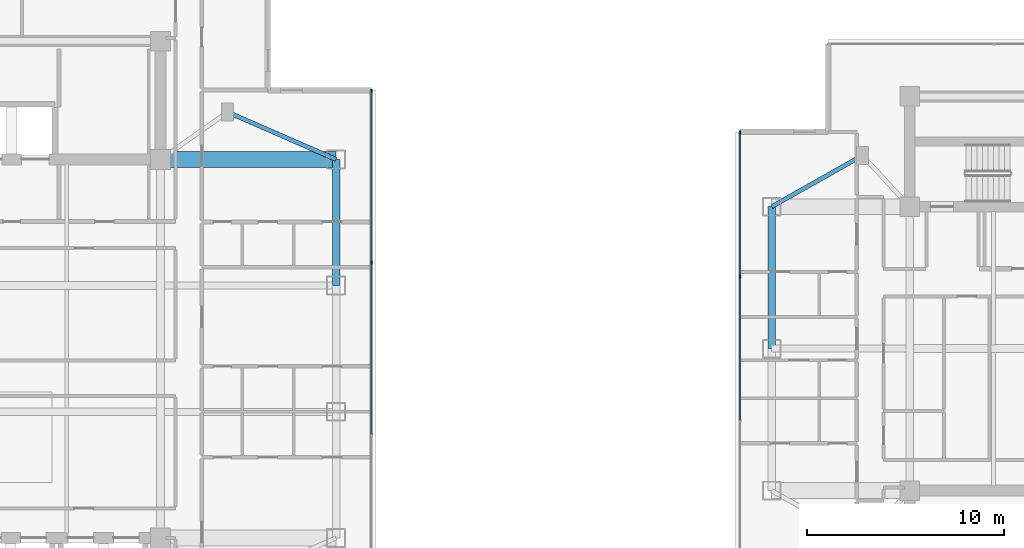
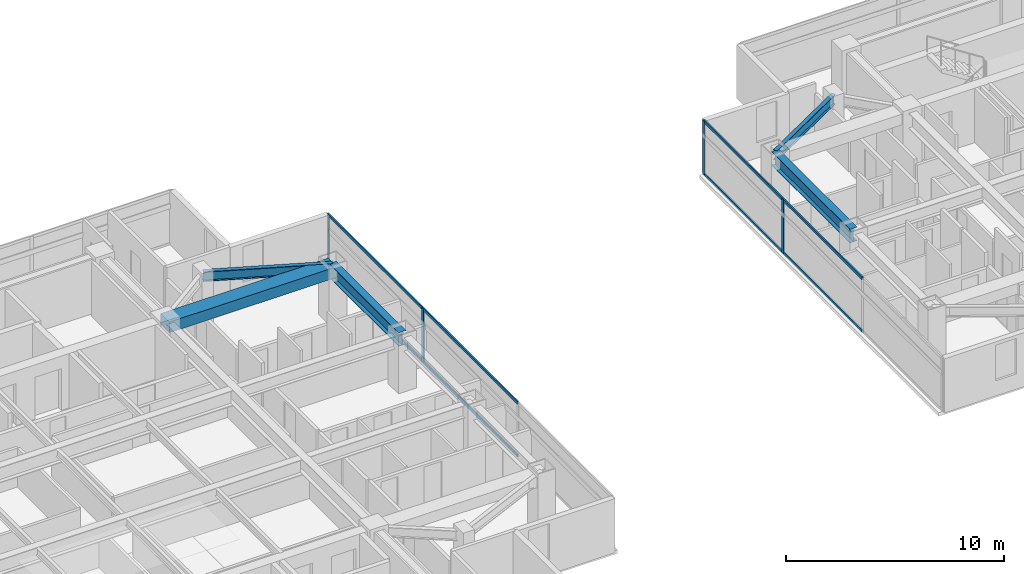
# One storey, part 6 of 24: 12 members, 5 beams, 2 elements without a shape of their own.
"""IFC4 building model written with IfcOpenShell, lengths in metres."""

from ifc_helpers import new_model, si_unit, direction, frame, origin, origin_2d, place, context, subcontext, project, spatial, rectangle, i_section, extrude, material, material_profile, profile_set, type_object, element, aggregate, save


model = new_model("IFC4")

# Units and contexts
model_context = context("Model", 3, precision=1e-05, world=origin(), true_north=direction((0.0, 1.0)))
body_context = subcontext(model_context, "Body", "Model", "MODEL_VIEW")
ifc_project = project(units=[si_unit("LENGTHUNIT", "METRE"), si_unit("AREAUNIT", "SQUARE_METRE"), si_unit("VOLUMEUNIT", "CUBIC_METRE"), si_unit("PLANEANGLEUNIT", "RADIAN"), si_unit("MASSUNIT", "GRAM", prefix="KILO")], contexts=[model_context])

# Site, building, storey
site_placement = place(None, origin())
site = spatial("IfcSite", under=ifc_project, at=site_placement, CompositionType="ELEMENT")
building_placement = place(site_placement, origin())
building = spatial("IfcBuilding", under=site, at=building_placement, Name="Mirazonda Arch Towers", CompositionType="ELEMENT")
storey_placement = place(building_placement, frame((0.0, 0.0, 160.89990234375)))
storey = spatial("IfcBuildingStorey", under=building, at=storey_placement, Name="L45", CompositionType="ELEMENT", Elevation=160.89990234375)

# Beams
ifc_material_1 = material(Name="Steel ASTM A992 Grade 50", Category="steel")
ifc_material_profile_1 = material_profile(ifc_material_1, i_section(OverallWidth=0.381103515625, OverallDepth=0.77294921875, WebThickness=0.0166015625, FlangeThickness=0.027099609375, at=origin_2d()), Name="W30X173")
ifc_profile_set_1 = profile_set([ifc_material_profile_1], Name="Steel ASTM A992 Grade 50")
beam_type_1 = type_object("IfcBeamType", Name="BM-EXT-W30X173", PredefinedType="USERDEFINED", material=ifc_profile_set_1)
beam_1_placement = place(storey_placement, frame((38.89990234375, 31.199951171875, 2.66357421875), z_axis=(0.0, 1.0, 0.0), x_axis=(-1.0, 0.0, 0.0)))
element("IfcBeam", 1, at=beam_1_placement, inside=storey, type_object=beam_type_1, Name="L45 Floor Beam BM-T1-L45-NS-E-31", ObjectType="GIRDER", PredefinedType="USERDEFINED", context=body_context, shape_type="SweptSolid", body=[
    extrude(i_section(OverallWidth=0.381103515625, OverallDepth=0.77294921875, WebThickness=0.0166015625, FlangeThickness=0.027099609375, at=origin_2d()), origin(), (0.0, 0.0, 1.0), 6.400146484375),
])
beam_2_placement = place(storey_placement, frame((61.0, 28.0, 2.66357421875), z_axis=(0.0, 1.0, 0.0), x_axis=(-1.0, 0.0, 0.0)))
element("IfcBeam", 2, at=beam_2_placement, inside=storey, type_object=beam_type_1, Name="L45 Floor Beam BM-T2-L45-NS-W-28", ObjectType="GIRDER", PredefinedType="USERDEFINED", context=body_context, shape_type="SweptSolid", body=[
    extrude(i_section(OverallWidth=0.381103515625, OverallDepth=0.77294921875, WebThickness=0.0166015625, FlangeThickness=0.027099609375, at=origin_2d()), origin(), (0.0, 0.0, 1.0), 7.199951171875),
])
ifc_material_profile_2 = material_profile(ifc_material_1, i_section(OverallWidth=0.214111328125, OverallDepth=0.549072265625, WebThickness=0.0146484375, FlangeThickness=0.023681640625, at=origin_2d()), Name="W21X93")
ifc_profile_set_2 = profile_set([ifc_material_profile_2], Name="Steel ASTM A992 Grade 50")
beam_type_2 = type_object("IfcBeamType", Name="BM-INT-W21X93", PredefinedType="BEAM", material=ifc_profile_set_2)
beam_3_placement = place(storey_placement, frame((33.39990234375, 40.0, 2.775634765625), z_axis=(0.916545343703, -0.399930785183, 0.0), x_axis=(0.399930785183, 0.916545343703, 0.0)))
element("IfcBeam", 3, at=beam_3_placement, inside=storey, type_object=beam_type_2, Name="L45 Floor Beam BM-T1-L45-PL-NE2", PredefinedType="BEAM", context=body_context, shape_type="SweptSolid", body=[
    extrude(i_section(OverallWidth=0.214111328125, OverallDepth=0.549072265625, WebThickness=0.0146484375, FlangeThickness=0.023681640625, at=origin_2d()), origin(), (0.0, 0.0, 1.0), 6.000732421875),
])
beam_4_placement = place(storey_placement, frame((65.60009765625, 37.800048828125, 2.775634765625), z_axis=(-0.870559396632, -0.492063346467, 0.0), x_axis=(0.492063346467, -0.870559396632, 0.0)))
element("IfcBeam", 4, at=beam_4_placement, inside=storey, type_object=beam_type_2, Name="L45 Floor Beam BM-T2-L45-PL-NW2", PredefinedType="BEAM", context=body_context, shape_type="SweptSolid", body=[
    extrude(i_section(OverallWidth=0.214111328125, OverallDepth=0.549072265625, WebThickness=0.0146484375, FlangeThickness=0.023681640625, at=origin_2d()), origin(), (0.0, 0.0, 1.0), 5.2841796875),
])
ifc_material_2 = material(Name="Concrete C60/75", Category="concrete")
ifc_material_profile_3 = material_profile(ifc_material_2, rectangle(XDim=0.800048828125, YDim=0.60009765625, at=origin_2d()), Name="RCCB800x600")
ifc_profile_set_3 = profile_set([ifc_material_profile_3], Name="Concrete C60/75")
beam_type_3 = type_object("IfcBeamType", Name="CB-INT-RCCB800x600", PredefinedType="SPANDREL", material=ifc_profile_set_3)
beam_5_placement = place(storey_placement, frame((30.0, 37.60009765625, 2.75), z_axis=(1.0, 0.0, 0.0), x_axis=(0.0, 1.0, 0.0)))
element("IfcBeam", 5, at=beam_5_placement, inside=storey, type_object=beam_type_3, Name="L45 Floor Beam CBC-T1-L45-NE", PredefinedType="SPANDREL", context=body_context, shape_type="SweptSolid", body=[
    extrude(rectangle(XDim=0.800048828125, YDim=0.60009765625, at=origin_2d()), origin(), (0.0, 0.0, 1.0), 8.89990234375),
])

# Curtain wall, members
ifc_material_3 = material(Name="Anodised Aluminium and Low-E Glass", Category="aluminium")
curtain_wall_type = type_object("IfcCurtainWallType", Name="CW-RES-UNIT", PredefinedType="NOTDEFINED", material=ifc_material_3)
curtain_wall_1_placement = place(storey_placement, origin())
curtain_wall_1 = element("IfcCurtainWall", 6, at=curtain_wall_1_placement, inside=storey, type_object=curtain_wall_type, Name="L45 T1 E Facade CW-L45-T1-E", PredefinedType="NOTDEFINED")
ifc_material_4 = material(Name="Anodised Aluminium Alloy", Category="aluminium")
ifc_material_profile_4 = material_profile(ifc_material_4, rectangle(XDim=0.074951171875, YDim=0.175048828125, at=origin_2d()), Name="ALU-MULL-75x175")
ifc_profile_set_4 = profile_set([ifc_material_profile_4], Name="Anodised Aluminium Alloy")
member_type_1 = type_object("IfcMemberType", Name="MULL-CW-RES-UNIT", PredefinedType="MULLION", material=ifc_profile_set_4)
member_1_placement = place(storey_placement, frame((40.68994140625, 32.373779296875, 0.0), z_axis=(0.0, 0.0, 1.0), x_axis=(-1.0, 0.0, 0.0)))
member_1 = element("IfcMember", 7, at=member_1_placement, type_object=member_type_1, Name="CW-104 mullion 3", PredefinedType="MULLION", context=body_context, shape_type="SweptSolid", body=[
    extrude(rectangle(XDim=0.074951171875, YDim=0.175048828125, at=origin_2d()), origin(), (0.0, 0.0, 1.0), 3.030029296875),
])
member_2_placement = place(storey_placement, frame((40.68994140625, 41.08349609375, 0.0), z_axis=(0.0, 0.0, 1.0), x_axis=(-1.0, 0.0, 0.0)))
member_2 = element("IfcMember", 8, at=member_2_placement, type_object=member_type_1, Name="CW-104 mullion 4", PredefinedType="MULLION", context=body_context, shape_type="SweptSolid", body=[
    extrude(rectangle(XDim=0.074951171875, YDim=0.175048828125, at=origin_2d()), origin(), (0.0, 0.0, 1.0), 3.030029296875),
])

curtain_wall_2_placement = place(storey_placement, origin())
curtain_wall_2 = element("IfcCurtainWall", 9, at=curtain_wall_2_placement, inside=storey, type_object=curtain_wall_type, Name="L45 T2 W Facade CW-L45-T2-W", PredefinedType="NOTDEFINED")
member_3_placement = place(storey_placement, frame((59.3916015625, 38.955322265625, 0.0), z_axis=(0.0, 0.0, 1.0), x_axis=(1.0, 0.0, 0.0)))
member_3 = element("IfcMember", 10, at=member_3_placement, type_object=member_type_1, Name="CW-104 mullion 1", PredefinedType="MULLION", context=body_context, shape_type="SweptSolid", body=[
    extrude(rectangle(XDim=0.074951171875, YDim=0.175048828125, at=origin_2d()), origin(), (0.0, 0.0, 1.0), 3.030029296875),
])
member_4_placement = place(storey_placement, frame((59.3916015625, 31.664306640625, 0.0), z_axis=(0.0, 0.0, 1.0), x_axis=(1.0, 0.0, 0.0)))
member_4 = element("IfcMember", 11, at=member_4_placement, type_object=member_type_1, Name="CW-104 mullion 2", PredefinedType="MULLION", context=body_context, shape_type="SweptSolid", body=[
    extrude(rectangle(XDim=0.074951171875, YDim=0.175048828125, at=origin_2d()), origin(), (0.0, 0.0, 1.0), 3.030029296875),
])

# Member
ifc_material_profile_5 = material_profile(ifc_material_4, rectangle(XDim=0.074951171875, YDim=0.155029296875, at=origin_2d()), Name="ALU-TRAN-75x155")
ifc_profile_set_5 = profile_set([ifc_material_profile_5], Name="Anodised Aluminium Alloy")
member_type_2 = type_object("IfcMemberType", Name="TRAN-CW-RES-UNIT", PredefinedType="USERDEFINED", material=ifc_profile_set_5)
member_5_placement = place(storey_placement, frame((40.68994140625, 23.663818359375, 0.03759765625), z_axis=(0.0, 1.0, 0.0), x_axis=(-1.0, 0.0, 0.0)))
member_5 = element("IfcMember", 12, at=member_5_placement, type_object=member_type_2, Name="CW-104 transom 2.1", ObjectType="TRANSOM", PredefinedType="USERDEFINED", context=body_context, shape_type="SweptSolid", body=[
    extrude(rectangle(XDim=0.074951171875, YDim=0.155029296875, at=origin_2d()), origin(), (0.0, 0.0, 1.0), 8.67236328125),
])

member_6_placement = place(storey_placement, frame((40.68994140625, 23.663818359375, 2.99267578125), z_axis=(0.0, 1.0, 0.0), x_axis=(-1.0, 0.0, 0.0)))
member_6 = element("IfcMember", 13, at=member_6_placement, type_object=member_type_2, Name="CW-104 transom 2.2", ObjectType="TRANSOM", PredefinedType="USERDEFINED", context=body_context, shape_type="SweptSolid", body=[
    extrude(rectangle(XDim=0.074951171875, YDim=0.155029296875, at=origin_2d()), origin(), (0.0, 0.0, 1.0), 8.67236328125),
])

member_7_placement = place(storey_placement, frame((40.68994140625, 32.4111328125, 0.03759765625), z_axis=(0.0, 1.0, 0.0), x_axis=(-1.0, 0.0, 0.0)))
member_7 = element("IfcMember", 14, at=member_7_placement, type_object=member_type_2, Name="CW-104 transom 3.1", ObjectType="TRANSOM", PredefinedType="USERDEFINED", context=body_context, shape_type="SweptSolid", body=[
    extrude(rectangle(XDim=0.074951171875, YDim=0.155029296875, at=origin_2d()), origin(), (0.0, 0.0, 1.0), 8.634765625),
])

member_8_placement = place(storey_placement, frame((40.68994140625, 32.4111328125, 2.99267578125), z_axis=(0.0, 1.0, 0.0), x_axis=(-1.0, 0.0, 0.0)))
member_8 = element("IfcMember", 15, at=member_8_placement, type_object=member_type_2, Name="CW-104 transom 3.2", ObjectType="TRANSOM", PredefinedType="USERDEFINED", context=body_context, shape_type="SweptSolid", body=[
    extrude(rectangle(XDim=0.074951171875, YDim=0.155029296875, at=origin_2d()), origin(), (0.0, 0.0, 1.0), 8.634765625),
])

aggregate(curtain_wall_1, [member_1, member_2, member_5, member_6, member_7, member_8])

member_9_placement = place(storey_placement, frame((59.3916015625, 38.91796875, 0.03759765625), z_axis=(0.0, -1.0, 0.0), x_axis=(1.0, 0.0, 0.0)))
member_9 = element("IfcMember", 16, at=member_9_placement, type_object=member_type_2, Name="CW-104 transom 1.1", ObjectType="TRANSOM", PredefinedType="USERDEFINED", context=body_context, shape_type="SweptSolid", body=[
    extrude(rectangle(XDim=0.074951171875, YDim=0.155029296875, at=origin_2d()), origin(), (0.0, 0.0, 1.0), 7.216064453125),
])

member_10_placement = place(storey_placement, frame((59.3916015625, 38.91796875, 2.99267578125), z_axis=(0.0, -1.0, 0.0), x_axis=(1.0, 0.0, 0.0)))
member_10 = element("IfcMember", 17, at=member_10_placement, type_object=member_type_2, Name="CW-104 transom 1.2", ObjectType="TRANSOM", PredefinedType="USERDEFINED", context=body_context, shape_type="SweptSolid", body=[
    extrude(rectangle(XDim=0.074951171875, YDim=0.155029296875, at=origin_2d()), origin(), (0.0, 0.0, 1.0), 7.216064453125),
])

member_11_placement = place(storey_placement, frame((59.3916015625, 31.626708984375, 0.03759765625), z_axis=(0.0, -1.0, 0.0), x_axis=(1.0, 0.0, 0.0)))
member_11 = element("IfcMember", 18, at=member_11_placement, type_object=member_type_2, Name="CW-104 transom 2.1", ObjectType="TRANSOM", PredefinedType="USERDEFINED", context=body_context, shape_type="SweptSolid", body=[
    extrude(rectangle(XDim=0.074951171875, YDim=0.155029296875, at=origin_2d()), origin(), (0.0, 0.0, 1.0), 7.25341796875),
])

member_12_placement = place(storey_placement, frame((59.3916015625, 31.626708984375, 2.99267578125), z_axis=(0.0, -1.0, 0.0), x_axis=(1.0, 0.0, 0.0)))
member_12 = element("IfcMember", 19, at=member_12_placement, type_object=member_type_2, Name="CW-104 transom 2.2", ObjectType="TRANSOM", PredefinedType="USERDEFINED", context=body_context, shape_type="SweptSolid", body=[
    extrude(rectangle(XDim=0.074951171875, YDim=0.155029296875, at=origin_2d()), origin(), (0.0, 0.0, 1.0), 7.25341796875),
])

aggregate(curtain_wall_2, [member_3, member_4, member_9, member_10, member_11, member_12])

save(model, "model.ifc")
